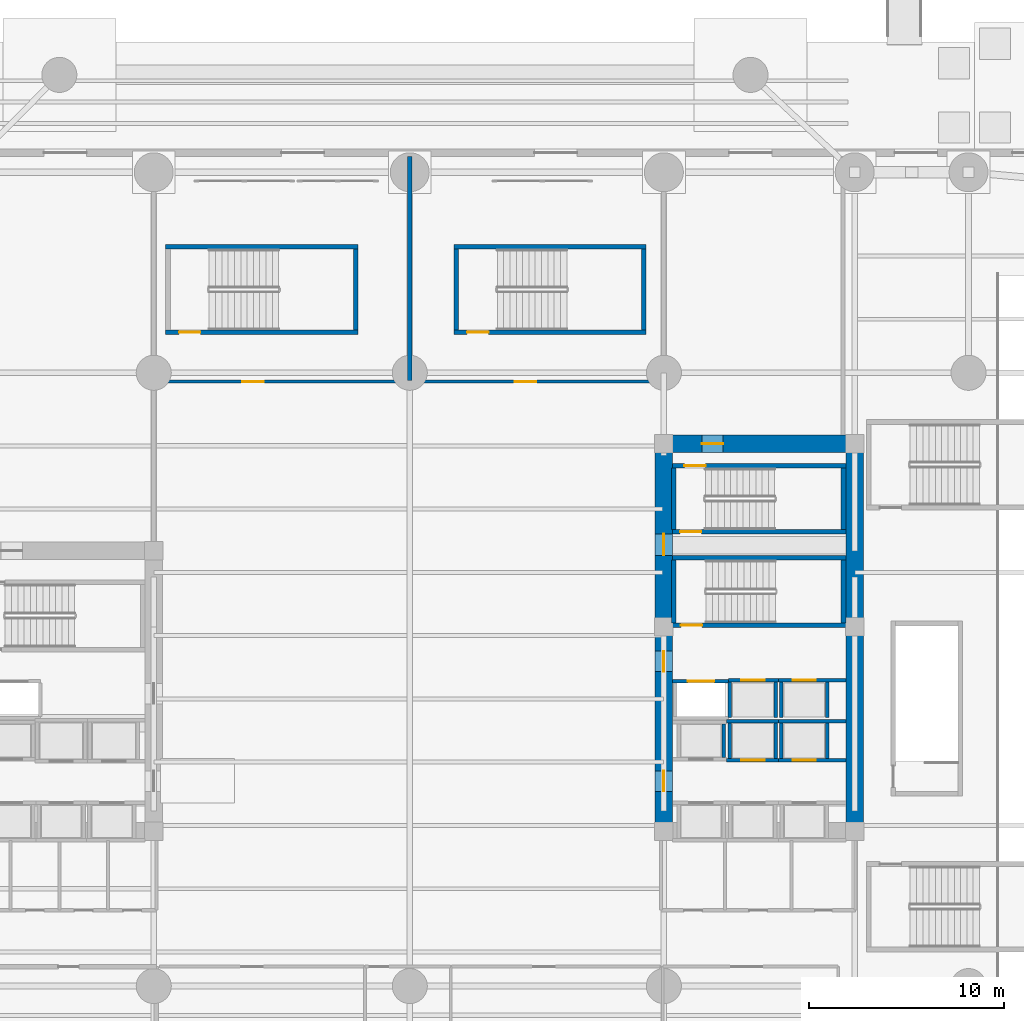
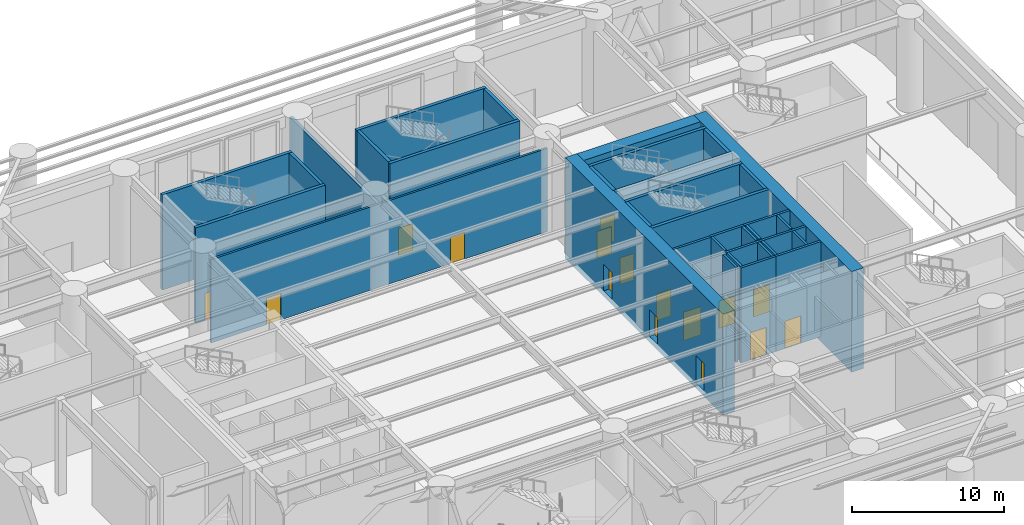
# One storey, part 12 of 25: 36 walls, 16 doors, 16 openings.
"""IFC4 building model written with IfcOpenShell, lengths in metres."""

from ifc_helpers import new_model, si_unit, direction, frame, frame_2d, origin, place, context, subcontext, project, spatial, rectangle, extrude, material, layer, layer_set, type_object, element, fill, save


model = new_model("IFC4")

# Units and contexts
model_context = context("Model", 3, precision=1e-05, world=origin(), true_north=direction((0.0, 1.0)))
body_context = subcontext(model_context, "Body", "Model", "MODEL_VIEW")
ifc_project = project(units=[si_unit("LENGTHUNIT", "METRE"), si_unit("AREAUNIT", "SQUARE_METRE"), si_unit("VOLUMEUNIT", "CUBIC_METRE"), si_unit("PLANEANGLEUNIT", "RADIAN"), si_unit("MASSUNIT", "GRAM", prefix="KILO")], contexts=[model_context])

# Site, building, storey
site_placement = place(None, origin())
site = spatial("IfcSite", under=ifc_project, at=site_placement, CompositionType="ELEMENT")
building_placement = place(site_placement, origin())
building = spatial("IfcBuilding", under=site, at=building_placement, Name="Kolvaren Arena Tower", CompositionType="ELEMENT")
storey_placement = place(building_placement, origin())
storey = spatial("IfcBuildingStorey", under=building, at=storey_placement, Name="L00", CompositionType="ELEMENT", Elevation=0.0)

# Wall, openings, doors
ifc_material_1 = material(Name="Gypsum board acoustic assembly", Category="gypsum")
ifc_layer_1 = layer(ifc_material_1, 0.159912109375)
ifc_layer_set_1 = layer_set([ifc_layer_1], Name="Gypsum board acoustic assembly")
wall_type_1 = type_object("IfcWallType", Name="CORR-160", PredefinedType="PARTITIONING", material=ifc_layer_set_1)
wall_1_placement = place(storey_placement, frame((24.699951171875, 42.550048828125, 0.0), z_axis=(0.0, 0.0, 1.0), x_axis=(1.0, 0.0, 0.0)))
wall_1 = element("IfcWall", 1, at=wall_1_placement, inside=storey, type_object=wall_type_1, Name="Interior Partition Wall (L00)", PredefinedType="PARTITIONING", context=body_context, shape_type="SweptSolid", body=[
    extrude(rectangle(XDim=25.60009765625, YDim=0.159912109375, at=frame_2d((12.800048828125, 0.0))), origin(), (0.0, 0.0, 1.0), 6.7099609375),
])
opening_1_placement = place(wall_1_placement, frame((4.199951171875, 0.0, 0.0)))
opening_1 = element("IfcOpeningElement", 2, at=opening_1_placement, cuts=wall_1, Name="Opening D03", PredefinedType="OPENING", context=body_context, shape_type="SweptSolid", body=[
    extrude(rectangle(XDim=1.10009765625, YDim=2.14990234375, at=frame_2d((0.550048828125, 1.074951171875))), frame((0.0, 0.08984375, 0.0), z_axis=(0.0, -1.0, 0.0), x_axis=(1.0, 0.0, 0.0)), (0.0, 0.0, 1.0), 0.179931640625),
])
opening_2_placement = place(wall_1_placement, frame((18.199951171875, 0.0, 0.0)))
opening_2 = element("IfcOpeningElement", 3, at=opening_2_placement, cuts=wall_1, Name="Opening D03", PredefinedType="OPENING", context=body_context, shape_type="SweptSolid", body=[
    extrude(rectangle(XDim=1.10009765625, YDim=2.14990234375, at=frame_2d((0.550048828125, 1.074951171875))), frame((0.0, 0.08984375, 0.0), z_axis=(0.0, -1.0, 0.0), x_axis=(1.0, 0.0, 0.0)), (0.0, 0.0, 1.0), 0.179931640625),
])
ifc_material_2 = material(Name="Fire-rated steel exit stair door", Category="steel")
door_type_1 = type_object("IfcDoorType", Name="DOOR-ST-110", OperationType="NOTDEFINED", PredefinedType="DOOR", material=ifc_material_2)
door_1_placement = place(opening_1_placement, origin())
door_1 = element("IfcDoor", 4, at=door_1_placement, inside=storey, type_object=door_type_1, Name="North-West Exit Lobby Door", OperationType="SINGLE_SWING_LEFT", OverallHeight=2.14990234375, OverallWidth=1.10009765625, PredefinedType="DOOR", context=body_context, shape_type="SweptSolid", body=[
    extrude(rectangle(XDim=1.10009765625, YDim=2.14990234375, at=frame_2d((0.550048828125, 1.074951171875))), frame((0.0, 0.02490234375, 0.0), z_axis=(0.0, -1.0, 0.0), x_axis=(1.0, 0.0, 0.0)), (0.0, 0.0, 1.0), 0.050048828125),
])
fill(opening_1, door_1)
door_2_placement = place(opening_2_placement, origin())
door_2 = element("IfcDoor", 5, at=door_2_placement, inside=storey, type_object=door_type_1, Name="North-East Exit Lobby Door", OperationType="SINGLE_SWING_RIGHT", OverallHeight=2.14990234375, OverallWidth=1.10009765625, PredefinedType="DOOR", context=body_context, shape_type="SweptSolid", body=[
    extrude(rectangle(XDim=1.10009765625, YDim=2.14990234375, at=frame_2d((0.550048828125, 1.074951171875))), frame((0.0, 0.02490234375, 0.0), z_axis=(0.0, -1.0, 0.0), x_axis=(1.0, 0.0, 0.0)), (0.0, 0.0, 1.0), 0.050048828125),
])
fill(opening_2, door_2)

ifc_material_3 = material(Name="Concrete 80 MPa", Category="concrete")
ifc_layer_2 = layer(ifc_material_3, 0.89990234375)
ifc_layer_set_2 = layer_set([ifc_layer_2], Name="Concrete 80 MPa")
wall_type_2 = type_object("IfcWallType", Name="CWALL-900", PredefinedType="SHEAR", material=ifc_layer_set_2)
wall_2_placement = place(storey_placement, frame((50.550048828125, 19.0, -0.449951171875), z_axis=(0.0, 0.0, 1.0), x_axis=(0.0, 1.0, 0.0)))
wall_2 = element("IfcWall", 6, at=wall_2_placement, inside=storey, type_object=wall_type_2, Name="Core Shear Wall EC-WEST (L00)", PredefinedType="SHEAR", context=body_context, shape_type="SweptSolid", body=[
    extrude(rectangle(XDim=20.800048828125, YDim=0.89990234375, at=frame_2d((10.39990234375, 0.0))), origin(), (0.0, 0.0, 1.0), 8.099853515625),
])
opening_3_placement = place(wall_2_placement, frame((2.5, 0.0, 0.449951171875)))
opening_3 = element("IfcOpeningElement", 7, at=opening_3_placement, cuts=wall_2, Name="Opening D04", PredefinedType="OPENING", context=body_context, shape_type="SweptSolid", body=[
    extrude(rectangle(XDim=1.050048828125, YDim=2.14990234375, at=frame_2d((0.52490234375, 1.074951171875))), frame((0.0, 0.4599609375, 0.0), z_axis=(0.0, -1.0, 0.0), x_axis=(1.0, 0.0, 0.0)), (0.0, 0.0, 1.0), 0.919921875),
])
opening_4_placement = place(wall_2_placement, frame((8.64990234375, 0.0, 0.449951171875)))
opening_4 = element("IfcOpeningElement", 8, at=opening_4_placement, cuts=wall_2, Name="Opening D04", PredefinedType="OPENING", context=body_context, shape_type="SweptSolid", body=[
    extrude(rectangle(XDim=1.050048828125, YDim=2.14990234375, at=frame_2d((0.52490234375, 1.074951171875))), frame((0.0, 0.4599609375, 0.0), z_axis=(0.0, -1.0, 0.0), x_axis=(1.0, 0.0, 0.0)), (0.0, 0.0, 1.0), 0.919921875),
])
opening_5_placement = place(wall_2_placement, frame((14.6201171875, 0.0, 0.449951171875)))
opening_5 = element("IfcOpeningElement", 9, at=opening_5_placement, cuts=wall_2, Name="Opening D03", PredefinedType="OPENING", context=body_context, shape_type="SweptSolid", body=[
    extrude(rectangle(XDim=1.10009765625, YDim=2.14990234375, at=frame_2d((0.550048828125, 1.074951171875))), frame((0.0, 0.4599609375, 0.0), z_axis=(0.0, -1.0, 0.0), x_axis=(1.0, 0.0, 0.0)), (0.0, 0.0, 1.0), 0.919921875),
])
ifc_material_4 = material(Name="Fire-rated steel lobby door", Category="steel")
door_type_2 = type_object("IfcDoorType", Name="DOOR-FF-105", OperationType="NOTDEFINED", PredefinedType="DOOR", material=ifc_material_4)
door_3_placement = place(opening_3_placement, origin())
door_3 = element("IfcDoor", 10, at=door_3_placement, inside=storey, type_object=door_type_2, Name="East Lift Lobby Fire Door (L00)", OperationType="SINGLE_SWING_RIGHT", OverallHeight=2.14990234375, OverallWidth=1.050048828125, PredefinedType="DOOR", context=body_context, shape_type="SweptSolid", body=[
    extrude(rectangle(XDim=1.050048828125, YDim=2.14990234375, at=frame_2d((0.52490234375, 1.074951171875))), frame((0.0, 0.02490234375, 0.0), z_axis=(0.0, -1.0, 0.0), x_axis=(1.0, 0.0, 0.0)), (0.0, 0.0, 1.0), 0.050048828125),
])
fill(opening_3, door_3)
door_4_placement = place(opening_4_placement, origin())
door_4 = element("IfcDoor", 11, at=door_4_placement, inside=storey, type_object=door_type_2, Name="East Firefighter Vestibule Door (L00)", OperationType="SINGLE_SWING_LEFT", OverallHeight=2.14990234375, OverallWidth=1.050048828125, PredefinedType="DOOR", context=body_context, shape_type="SweptSolid", body=[
    extrude(rectangle(XDim=1.050048828125, YDim=2.14990234375, at=frame_2d((0.52490234375, 1.074951171875))), frame((0.0, 0.02490234375, 0.0), z_axis=(0.0, -1.0, 0.0), x_axis=(1.0, 0.0, 0.0)), (0.0, 0.0, 1.0), 0.050048828125),
])
fill(opening_4, door_4)
door_5_placement = place(opening_5_placement, origin())
door_5 = element("IfcDoor", 12, at=door_5_placement, inside=storey, type_object=door_type_1, Name="Stair ST-E2 Vestibule Fire Door (L00)", OperationType="SINGLE_SWING_LEFT", OverallHeight=2.14990234375, OverallWidth=1.10009765625, PredefinedType="DOOR", context=body_context, shape_type="SweptSolid", body=[
    extrude(rectangle(XDim=1.10009765625, YDim=2.14990234375, at=frame_2d((0.550048828125, 1.074951171875))), frame((0.0, 0.02490234375, 0.0), z_axis=(0.0, -1.0, 0.0), x_axis=(1.0, 0.0, 0.0)), (0.0, 0.0, 1.0), 0.050048828125),
])
fill(opening_5, door_5)

# Wall
wall_3_placement = place(storey_placement, frame((60.35009765625, 19.0, -0.449951171875), z_axis=(0.0, 0.0, 1.0), x_axis=(0.0, 1.0, 0.0)))
element("IfcWall", 13, at=wall_3_placement, inside=storey, type_object=wall_type_2, Name="Core Shear Wall EC-EAST (L00)", PredefinedType="SHEAR", context=body_context, shape_type="SweptSolid", body=[
    extrude(rectangle(XDim=20.800048828125, YDim=0.89990234375, at=frame_2d((10.39990234375, 0.0))), origin(), (0.0, 0.0, 1.0), 8.099853515625),
])

# Wall, opening, door
wall_4_placement = place(storey_placement, frame((51.0, 39.35009765625, -0.449951171875), z_axis=(0.0, 0.0, 1.0), x_axis=(1.0, 0.0, 0.0)))
wall_4 = element("IfcWall", 14, at=wall_4_placement, inside=storey, type_object=wall_type_2, Name="Core Shear Wall EC-NORTH (L00)", PredefinedType="SHEAR", context=body_context, shape_type="SweptSolid", body=[
    extrude(rectangle(XDim=8.89990234375, YDim=0.89990234375, at=frame_2d((4.449951171875, 0.0))), origin(), (0.0, 0.0, 1.0), 8.099853515625),
])
opening_6_placement = place(wall_4_placement, frame((1.5, 0.0, 0.449951171875)))
opening_6 = element("IfcOpeningElement", 15, at=opening_6_placement, cuts=wall_4, Name="Opening D03", PredefinedType="OPENING", context=body_context, shape_type="SweptSolid", body=[
    extrude(rectangle(XDim=1.10009765625, YDim=2.14990234375, at=frame_2d((0.550048828125, 1.074951171875))), frame((0.0, 0.4599609375, 0.0), z_axis=(0.0, -1.0, 0.0), x_axis=(1.0, 0.0, 0.0)), (0.0, 0.0, 1.0), 0.919921875),
])
door_6_placement = place(opening_6_placement, origin())
door_6 = element("IfcDoor", 16, at=door_6_placement, inside=storey, type_object=door_type_1, Name="Stair ST-E2 Protected Exit Passage Door (L00)", OperationType="SINGLE_SWING_LEFT", OverallHeight=2.14990234375, OverallWidth=1.10009765625, PredefinedType="DOOR", context=body_context, shape_type="SweptSolid", body=[
    extrude(rectangle(XDim=1.10009765625, YDim=2.14990234375, at=frame_2d((0.550048828125, 1.074951171875))), frame((0.0, 0.02490234375, 0.0), z_axis=(0.0, -1.0, 0.0), x_axis=(1.0, 0.0, 0.0)), (0.0, 0.0, 1.0), 0.050048828125),
])
fill(opening_6, door_6)

ifc_material_5 = material(Name="Concrete 45 MPa", Category="concrete")
ifc_layer_3 = layer(ifc_material_5, 0.25)
ifc_layer_set_3 = layer_set([ifc_layer_3], Name="Concrete 45 MPa")
wall_type_3 = type_object("IfcWallType", Name="SHAFT-250", PredefinedType="SOLIDWALL", material=ifc_layer_set_3)
wall_5_placement = place(storey_placement, frame((34.840087890625, 45.080078125, 0.0), z_axis=(0.0, 0.0, 1.0), x_axis=(-1.0, 0.0, 0.0)))
wall_5 = element("IfcWall", 17, at=wall_5_placement, inside=storey, type_object=wall_type_3, Name="Stair ST-A6 Rated Enclosure Wall (L00)", PredefinedType="SOLIDWALL", context=body_context, shape_type="SweptSolid", body=[
    extrude(rectangle(XDim=9.880126953125, YDim=0.239990234375, at=frame_2d((4.93994140625, 0.0))), origin(), (0.0, 0.0, 1.0), 7.64990234375),
])
opening_7_placement = place(wall_5_placement, frame((8.090087890625, 0.0, 0.0)))
opening_7 = element("IfcOpeningElement", 18, at=opening_7_placement, cuts=wall_5, Name="Opening D03", PredefinedType="OPENING", context=body_context, shape_type="SweptSolid", body=[
    extrude(rectangle(XDim=1.10009765625, YDim=2.14990234375, at=frame_2d((0.550048828125, 1.074951171875))), frame((0.0, 0.1298828125, 0.0), z_axis=(0.0, -1.0, 0.0), x_axis=(1.0, 0.0, 0.0)), (0.0, 0.0, 1.0), 0.260009765625),
])
door_7_placement = place(opening_7_placement, origin())
door_7 = element("IfcDoor", 19, at=door_7_placement, inside=storey, type_object=door_type_1, Name="Exit Stair ST-A6 Fire Door (L00)", OperationType="SINGLE_SWING_LEFT", OverallHeight=2.14990234375, OverallWidth=1.10009765625, PredefinedType="DOOR", context=body_context, shape_type="SweptSolid", body=[
    extrude(rectangle(XDim=1.10009765625, YDim=2.14990234375, at=frame_2d((0.550048828125, 1.074951171875))), frame((0.0, 0.02490234375, 0.0), z_axis=(0.0, -1.0, 0.0), x_axis=(1.0, 0.0, 0.0)), (0.0, 0.0, 1.0), 0.050048828125),
])
fill(opening_7, door_7)

# Walls
wall_6_placement = place(storey_placement, frame((24.9599609375, 49.469970703125, 0.0), z_axis=(0.0, 0.0, 1.0), x_axis=(1.0, 0.0, 0.0)))
element("IfcWall", 20, at=wall_6_placement, inside=storey, type_object=wall_type_3, Name="Stair ST-A6 Rear Shaft Wall (L00)", PredefinedType="SOLIDWALL", context=body_context, shape_type="SweptSolid", body=[
    extrude(rectangle(XDim=9.880126953125, YDim=0.239990234375, at=frame_2d((4.93994140625, 0.0))), origin(), (0.0, 0.0, 1.0), 7.64990234375),
])
wall_7_placement = place(storey_placement, frame((34.719970703125, 45.199951171875, 0.0), z_axis=(0.0, 0.0, 1.0), x_axis=(0.0, 1.0, 0.0)))
element("IfcWall", 21, at=wall_7_placement, inside=storey, type_object=wall_type_3, Name="Stair ST-A6 East Shaft Wall (L00)", PredefinedType="SOLIDWALL", context=body_context, shape_type="SweptSolid", body=[
    extrude(rectangle(XDim=4.150146484375, YDim=0.239990234375, at=frame_2d((2.0751953125, 0.0))), origin(), (0.0, 0.0, 1.0), 7.64990234375),
])

# Wall, opening, door
wall_8_placement = place(storey_placement, frame((49.639892578125, 45.080078125, 0.0), z_axis=(0.0, 0.0, 1.0), x_axis=(-1.0, 0.0, 0.0)))
wall_8 = element("IfcWall", 22, at=wall_8_placement, inside=storey, type_object=wall_type_3, Name="Stair ST-A7 Rated Enclosure Wall (L00)", PredefinedType="SOLIDWALL", context=body_context, shape_type="SweptSolid", body=[
    extrude(rectangle(XDim=9.8798828125, YDim=0.239990234375, at=frame_2d((4.93994140625, 0.0))), origin(), (0.0, 0.0, 1.0), 7.64990234375),
])
opening_8_placement = place(wall_8_placement, frame((8.090087890625, 0.0, 0.0)))
opening_8 = element("IfcOpeningElement", 23, at=opening_8_placement, cuts=wall_8, Name="Opening D03", PredefinedType="OPENING", context=body_context, shape_type="SweptSolid", body=[
    extrude(rectangle(XDim=1.10009765625, YDim=2.14990234375, at=frame_2d((0.550048828125, 1.074951171875))), frame((0.0, 0.1298828125, 0.0), z_axis=(0.0, -1.0, 0.0), x_axis=(1.0, 0.0, 0.0)), (0.0, 0.0, 1.0), 0.260009765625),
])
door_8_placement = place(opening_8_placement, origin())
door_8 = element("IfcDoor", 24, at=door_8_placement, inside=storey, type_object=door_type_1, Name="Exit Stair ST-A7 Fire Door (L00)", OperationType="SINGLE_SWING_LEFT", OverallHeight=2.14990234375, OverallWidth=1.10009765625, PredefinedType="DOOR", context=body_context, shape_type="SweptSolid", body=[
    extrude(rectangle(XDim=1.10009765625, YDim=2.14990234375, at=frame_2d((0.550048828125, 1.074951171875))), frame((0.0, 0.02490234375, 0.0), z_axis=(0.0, -1.0, 0.0), x_axis=(1.0, 0.0, 0.0)), (0.0, 0.0, 1.0), 0.050048828125),
])
fill(opening_8, door_8)

# Walls
wall_9_placement = place(storey_placement, frame((39.760009765625, 49.469970703125, 0.0), z_axis=(0.0, 0.0, 1.0), x_axis=(1.0, 0.0, 0.0)))
element("IfcWall", 25, at=wall_9_placement, inside=storey, type_object=wall_type_3, Name="Stair ST-A7 Rear Shaft Wall (L00)", PredefinedType="SOLIDWALL", context=body_context, shape_type="SweptSolid", body=[
    extrude(rectangle(XDim=9.8798828125, YDim=0.239990234375, at=frame_2d((4.93994140625, 0.0))), origin(), (0.0, 0.0, 1.0), 7.64990234375),
])
for number, where, z_axis, x_axis, name in (
    (26, (39.8798828125, 45.199951171875, 0.0), (0.0, 0.0, 1.0), (0.0, 1.0, 0.0), "Stair ST-A7 West Shaft Wall (L00)"),
    (27, (49.52001953125, 45.199951171875, 0.0), (0.0, 0.0, 1.0), (0.0, 1.0, 0.0), "Stair ST-A7 East Shaft Wall (L00)"),
):
    element("IfcWall", number, at=place(storey_placement, frame(where, z_axis=z_axis, x_axis=x_axis)), inside=storey, type_object=wall_type_3, Name=name, PredefinedType="SOLIDWALL", context=body_context, shape_type="SweptSolid", body=[
        extrude(rectangle(XDim=4.150146484375, YDim=0.239990234375, at=frame_2d((2.0751953125, 0.0))), origin(), (0.0, 0.0, 1.0), 7.64990234375),
    ])

# Wall, opening, door
wall_10_placement = place(storey_placement, frame((59.89990234375, 30.030029296875, 0.0), z_axis=(0.0, 0.0, 1.0), x_axis=(-1.0, 0.0, 0.0)))
wall_10 = element("IfcWall", 28, at=wall_10_placement, inside=storey, type_object=wall_type_3, Name="Core Shaft Wall (L00)", PredefinedType="SOLIDWALL", context=body_context, shape_type="SweptSolid", body=[
    extrude(rectangle(XDim=8.89990234375, YDim=0.239990234375, at=frame_2d((4.449951171875, 0.0))), origin(), (0.0, 0.0, 1.0), 7.64990234375),
])
opening_9_placement = place(wall_10_placement, frame((7.3798828125, 0.0, 0.0)))
opening_9 = element("IfcOpeningElement", 29, at=opening_9_placement, cuts=wall_10, Name="Opening D03", PredefinedType="OPENING", context=body_context, shape_type="SweptSolid", body=[
    extrude(rectangle(XDim=1.10009765625, YDim=2.14990234375, at=frame_2d((0.550048828125, 1.074951171875))), frame((0.0, 0.1298828125, 0.0), z_axis=(0.0, -1.0, 0.0), x_axis=(1.0, 0.0, 0.0)), (0.0, 0.0, 1.0), 0.260009765625),
])
door_9_placement = place(opening_9_placement, origin())
door_9 = element("IfcDoor", 30, at=door_9_placement, inside=storey, type_object=door_type_1, Name="Stair ST-E1 Fire Door (L00)", OperationType="SINGLE_SWING_LEFT", OverallHeight=2.14990234375, OverallWidth=1.10009765625, PredefinedType="DOOR", context=body_context, shape_type="SweptSolid", body=[
    extrude(rectangle(XDim=1.10009765625, YDim=2.14990234375, at=frame_2d((0.550048828125, 1.074951171875))), frame((0.0, 0.02490234375, 0.0), z_axis=(0.0, -1.0, 0.0), x_axis=(1.0, 0.0, 0.0)), (0.0, 0.0, 1.0), 0.050048828125),
])
fill(opening_9, door_9)

# Walls
wall_11_placement = place(storey_placement, frame((51.0, 33.5, 0.0), z_axis=(0.0, 0.0, 1.0), x_axis=(1.0, 0.0, 0.0)))
element("IfcWall", 31, at=wall_11_placement, inside=storey, type_object=wall_type_3, Name="Core Shaft Wall (L00)", PredefinedType="SOLIDWALL", context=body_context, shape_type="SweptSolid", body=[
    extrude(rectangle(XDim=8.89990234375, YDim=0.239990234375, at=frame_2d((4.449951171875, 0.0))), origin(), (0.0, 0.0, 1.0), 7.64990234375),
])
for number, where, z_axis, x_axis, name in (
    (32, (51.06005859375, 30.14990234375, 0.0), (0.0, 0.0, 1.0), (0.0, 1.0, 0.0), "Core Shaft Wall (L00)"),
    (33, (59.780029296875, 30.14990234375, 0.0), (0.0, 0.0, 1.0), (0.0, 1.0, 0.0), "Core Shaft Wall (L00)"),
):
    element("IfcWall", number, at=place(storey_placement, frame(where, z_axis=z_axis, x_axis=x_axis)), inside=storey, type_object=wall_type_3, Name=name, PredefinedType="SOLIDWALL", context=body_context, shape_type="SweptSolid", body=[
        extrude(rectangle(XDim=3.22998046875, YDim=0.239990234375, at=frame_2d((1.614990234375, 0.0))), origin(), (0.0, 0.0, 1.0), 7.64990234375),
    ])

# Wall, opening, door
wall_12_placement = place(storey_placement, frame((59.89990234375, 34.830078125, 0.0), z_axis=(0.0, 0.0, 1.0), x_axis=(-1.0, 0.0, 0.0)))
wall_12 = element("IfcWall", 34, at=wall_12_placement, inside=storey, type_object=wall_type_3, Name="Core Shaft Wall (L00)", PredefinedType="SOLIDWALL", context=body_context, shape_type="SweptSolid", body=[
    extrude(rectangle(XDim=8.89990234375, YDim=0.239990234375, at=frame_2d((4.449951171875, 0.0))), origin(), (0.0, 0.0, 1.0), 7.64990234375),
])
opening_10_placement = place(wall_12_placement, frame((7.419921875, 0.0, 0.0)))
opening_10 = element("IfcOpeningElement", 35, at=opening_10_placement, cuts=wall_12, Name="Opening D03", PredefinedType="OPENING", context=body_context, shape_type="SweptSolid", body=[
    extrude(rectangle(XDim=1.10009765625, YDim=2.14990234375, at=frame_2d((0.550048828125, 1.074951171875))), frame((0.0, 0.1298828125, 0.0), z_axis=(0.0, -1.0, 0.0), x_axis=(1.0, 0.0, 0.0)), (0.0, 0.0, 1.0), 0.260009765625),
])
door_10_placement = place(opening_10_placement, origin())
door_10 = element("IfcDoor", 36, at=door_10_placement, inside=storey, type_object=door_type_1, Name="Stair ST-E2 Fire Door (L00)", OperationType="SINGLE_SWING_LEFT", OverallHeight=2.14990234375, OverallWidth=1.10009765625, PredefinedType="DOOR", context=body_context, shape_type="SweptSolid", body=[
    extrude(rectangle(XDim=1.10009765625, YDim=2.14990234375, at=frame_2d((0.550048828125, 1.074951171875))), frame((0.0, 0.02490234375, 0.0), z_axis=(0.0, -1.0, 0.0), x_axis=(1.0, 0.0, 0.0)), (0.0, 0.0, 1.0), 0.050048828125),
])
fill(opening_10, door_10)

wall_13_placement = place(storey_placement, frame((51.0, 38.219970703125, 0.0), z_axis=(0.0, 0.0, 1.0), x_axis=(1.0, 0.0, 0.0)))
wall_13 = element("IfcWall", 37, at=wall_13_placement, inside=storey, type_object=wall_type_3, Name="Core Shaft Wall (L00)", PredefinedType="SOLIDWALL", context=body_context, shape_type="SweptSolid", body=[
    extrude(rectangle(XDim=8.89990234375, YDim=0.239990234375, at=frame_2d((4.449951171875, 0.0))), origin(), (0.0, 0.0, 1.0), 7.64990234375),
])
opening_11_placement = place(wall_13_placement, frame((0.60009765625, 0.0, 0.0)))
opening_11 = element("IfcOpeningElement", 38, at=opening_11_placement, cuts=wall_13, Name="Opening D03", PredefinedType="OPENING", context=body_context, shape_type="SweptSolid", body=[
    extrude(rectangle(XDim=1.10009765625, YDim=2.14990234375, at=frame_2d((0.550048828125, 1.074951171875))), frame((0.0, 0.1298828125, 0.0), z_axis=(0.0, -1.0, 0.0), x_axis=(1.0, 0.0, 0.0)), (0.0, 0.0, 1.0), 0.260009765625),
])
door_11_placement = place(opening_11_placement, origin())
door_11 = element("IfcDoor", 39, at=door_11_placement, inside=storey, type_object=door_type_1, Name="Stair ST-E2 Grade Discharge Door", OperationType="SINGLE_SWING_LEFT", OverallHeight=2.14990234375, OverallWidth=1.10009765625, PredefinedType="DOOR", context=body_context, shape_type="SweptSolid", body=[
    extrude(rectangle(XDim=1.10009765625, YDim=2.14990234375, at=frame_2d((0.550048828125, 1.074951171875))), frame((0.0, 0.02490234375, 0.0), z_axis=(0.0, -1.0, 0.0), x_axis=(1.0, 0.0, 0.0)), (0.0, 0.0, 1.0), 0.050048828125),
])
fill(opening_11, door_11)

# Walls
for number, where, z_axis, x_axis, name in (
    (40, (51.06005859375, 34.949951171875, 0.0), (0.0, 0.0, 1.0), (0.0, 1.0, 0.0), "Core Shaft Wall (L00)"),
    (41, (59.780029296875, 34.949951171875, 0.0), (0.0, 0.0, 1.0), (0.0, 1.0, 0.0), "Core Shaft Wall (L00)"),
):
    element("IfcWall", number, at=place(storey_placement, frame(where, z_axis=z_axis, x_axis=x_axis)), inside=storey, type_object=wall_type_3, Name=name, PredefinedType="SOLIDWALL", context=body_context, shape_type="SweptSolid", body=[
        extrude(rectangle(XDim=3.150146484375, YDim=0.239990234375, at=frame_2d((1.5751953125, 0.0))), origin(), (0.0, 0.0, 1.0), 7.64990234375),
    ])
wall_14_placement = place(storey_placement, frame((53.614990234375, 23.235107421875, 0.0), z_axis=(0.0, 0.0, 1.0), x_axis=(0.0, 1.0, 0.0)))
element("IfcWall", 42, at=wall_14_placement, inside=storey, type_object=wall_type_3, Name="Core Shaft Wall (L00)", PredefinedType="SOLIDWALL", context=body_context, shape_type="SweptSolid", body=[
    extrude(rectangle(XDim=1.72998046875, YDim=0.179931640625, at=frame_2d((0.864990234375, 0.0))), origin(), (0.0, 0.0, 1.0), 7.64990234375),
])
wall_15_placement = place(storey_placement, frame((53.777587890625, 25.10498046875, 0.0), z_axis=(0.0, 0.0, 1.0), x_axis=(1.0, 0.0, 0.0)))
element("IfcWall", 43, at=wall_15_placement, inside=storey, type_object=wall_type_3, Name="Core Shaft Wall (L00)", PredefinedType="SOLIDWALL", context=body_context, shape_type="SweptSolid", body=[
    extrude(rectangle(XDim=2.662353515625, YDim=0.179931640625, at=frame_2d((1.3310546875, 0.0))), origin(), (0.0, 0.0, 1.0), 7.64990234375),
])

# Wall, opening, door
wall_16_placement = place(storey_placement, frame((53.777587890625, 23.094970703125, 0.0), z_axis=(0.0, 0.0, 1.0), x_axis=(1.0, 0.0, 0.0)))
wall_16 = element("IfcWall", 44, at=wall_16_placement, inside=storey, type_object=wall_type_3, Name="Core Shaft Wall (L00)", PredefinedType="SOLIDWALL", context=body_context, shape_type="SweptSolid", body=[
    extrude(rectangle(XDim=2.662353515625, YDim=0.179931640625, at=frame_2d((1.3310546875, 0.0))), origin(), (0.0, 0.0, 1.0), 7.64990234375),
])
opening_12_placement = place(wall_16_placement, frame((0.742431640625, 0.0, 0.0)))
opening_12 = element("IfcOpeningElement", 45, at=opening_12_placement, cuts=wall_16, Name="Opening LD1", PredefinedType="OPENING", context=body_context, shape_type="SweptSolid", body=[
    extrude(rectangle(XDim=1.199951171875, YDim=2.199951171875, at=frame_2d((0.60009765625, 1.10009765625))), frame((0.0, 0.099853515625, 0.0), z_axis=(0.0, -1.0, 0.0), x_axis=(1.0, 0.0, 0.0)), (0.0, 0.0, 1.0), 0.199951171875),
])
ifc_material_6 = material(Name="Stainless steel passenger lift landing door", Category="steel")
door_type_3 = type_object("IfcDoorType", Name="DOOR-LD-120", OperationType="DOUBLE_DOOR_SLIDING", PredefinedType="DOOR", material=ifc_material_6)
door_12_placement = place(opening_12_placement, origin())
door_12 = element("IfcDoor", 46, at=door_12_placement, inside=storey, type_object=door_type_3, Name="Lift EL-HR1 Landing Door (L00)", OperationType="DOUBLE_DOOR_SLIDING", OverallHeight=2.199951171875, OverallWidth=1.199951171875, PredefinedType="DOOR", context=body_context, shape_type="SweptSolid", body=[
    extrude(rectangle(XDim=1.199951171875, YDim=2.199951171875, at=frame_2d((0.60009765625, 1.10009765625))), frame((0.0, 0.02490234375, 0.0), z_axis=(0.0, -1.0, 0.0), x_axis=(1.0, 0.0, 0.0)), (0.0, 0.0, 1.0), 0.050048828125),
])
fill(opening_12, door_12)

# Walls
for number, where, z_axis, x_axis, name in (
    (47, (53.93994140625, 23.18505859375, 0.0), (0.0, 0.0, 1.0), (0.0, 1.0, 0.0), "Core Shaft Wall (L00)"),
    (48, (56.300048828125, 23.18505859375, 0.0), (0.0, 0.0, 1.0), (0.0, 1.0, 0.0), "Core Shaft Wall (L00)"),
):
    element("IfcWall", number, at=place(storey_placement, frame(where, z_axis=z_axis, x_axis=x_axis)), inside=storey, type_object=wall_type_3, Name=name, PredefinedType="SOLIDWALL", context=body_context, shape_type="SweptSolid", body=[
        extrude(rectangle(XDim=1.829833984375, YDim=0.179931640625, at=frame_2d((0.9150390625, 0.0))), origin(), (0.0, 0.0, 1.0), 7.64990234375),
    ])
wall_17_placement = place(storey_placement, frame((56.43994140625, 25.10498046875, 0.0), z_axis=(0.0, 0.0, 1.0), x_axis=(1.0, 0.0, 0.0)))
element("IfcWall", 49, at=wall_17_placement, inside=storey, type_object=wall_type_3, Name="Core Shaft Wall (L00)", PredefinedType="SOLIDWALL", context=body_context, shape_type="SweptSolid", body=[
    extrude(rectangle(XDim=3.4599609375, YDim=0.179931640625, at=frame_2d((1.72998046875, 0.0))), origin(), (0.0, 0.0, 1.0), 7.64990234375),
])

# Wall, opening, door
wall_18_placement = place(storey_placement, frame((56.43994140625, 23.094970703125, 0.0), z_axis=(0.0, 0.0, 1.0), x_axis=(1.0, 0.0, 0.0)))
wall_18 = element("IfcWall", 50, at=wall_18_placement, inside=storey, type_object=wall_type_3, Name="Core Shaft Wall (L00)", PredefinedType="SOLIDWALL", context=body_context, shape_type="SweptSolid", body=[
    extrude(rectangle(XDim=3.4599609375, YDim=0.179931640625, at=frame_2d((1.72998046875, 0.0))), origin(), (0.0, 0.0, 1.0), 7.64990234375),
])
opening_13_placement = place(wall_18_placement, frame((0.719970703125, 0.0, 0.0)))
opening_13 = element("IfcOpeningElement", 51, at=opening_13_placement, cuts=wall_18, Name="Opening LD1", PredefinedType="OPENING", context=body_context, shape_type="SweptSolid", body=[
    extrude(rectangle(XDim=1.199951171875, YDim=2.199951171875, at=frame_2d((0.60009765625, 1.10009765625))), frame((0.0, 0.099853515625, 0.0), z_axis=(0.0, -1.0, 0.0), x_axis=(1.0, 0.0, 0.0)), (0.0, 0.0, 1.0), 0.199951171875),
])
door_13_placement = place(opening_13_placement, origin())
door_13 = element("IfcDoor", 52, at=door_13_placement, inside=storey, type_object=door_type_3, Name="Lift EL-HR2 Landing Door (L00)", OperationType="DOUBLE_DOOR_SLIDING", OverallHeight=2.199951171875, OverallWidth=1.199951171875, PredefinedType="DOOR", context=body_context, shape_type="SweptSolid", body=[
    extrude(rectangle(XDim=1.199951171875, YDim=2.199951171875, at=frame_2d((0.60009765625, 1.10009765625))), frame((0.0, 0.02490234375, 0.0), z_axis=(0.0, -1.0, 0.0), x_axis=(1.0, 0.0, 0.0)), (0.0, 0.0, 1.0), 0.050048828125),
])
fill(opening_13, door_13)

# Walls
for number, where, z_axis, x_axis, name in (
    (53, (56.580078125, 23.18505859375, 0.0), (0.0, 0.0, 1.0), (0.0, 1.0, 0.0), "Core Shaft Wall (L00)"),
    (54, (58.93994140625, 23.18505859375, 0.0), (0.0, 0.0, 1.0), (0.0, 1.0, 0.0), "Core Shaft Wall (L00)"),
):
    element("IfcWall", number, at=place(storey_placement, frame(where, z_axis=z_axis, x_axis=x_axis)), inside=storey, type_object=wall_type_3, Name=name, PredefinedType="SOLIDWALL", context=body_context, shape_type="SweptSolid", body=[
        extrude(rectangle(XDim=1.829833984375, YDim=0.179931640625, at=frame_2d((0.9150390625, 0.0))), origin(), (0.0, 0.0, 1.0), 7.64990234375),
    ])

# Wall, opening, door
wall_19_placement = place(storey_placement, frame((53.864990234375, 27.205078125, 0.0), z_axis=(0.0, 0.0, 1.0), x_axis=(1.0, 0.0, 0.0)))
wall_19 = element("IfcWall", 55, at=wall_19_placement, inside=storey, type_object=wall_type_3, Name="Core Shaft Wall (L00)", PredefinedType="SOLIDWALL", context=body_context, shape_type="SweptSolid", body=[
    extrude(rectangle(XDim=2.574951171875, YDim=0.179931640625, at=frame_2d((1.28759765625, 0.0))), origin(), (0.0, 0.0, 1.0), 7.64990234375),
])
opening_14_placement = place(wall_19_placement, frame((0.655029296875, 0.0, 0.0)))
opening_14 = element("IfcOpeningElement", 56, at=opening_14_placement, cuts=wall_19, Name="Opening LD1", PredefinedType="OPENING", context=body_context, shape_type="SweptSolid", body=[
    extrude(rectangle(XDim=1.199951171875, YDim=2.199951171875, at=frame_2d((0.60009765625, 1.10009765625))), frame((0.0, 0.099853515625, 0.0), z_axis=(0.0, -1.0, 0.0), x_axis=(1.0, 0.0, 0.0)), (0.0, 0.0, 1.0), 0.199951171875),
])
door_14_placement = place(opening_14_placement, origin())
door_14 = element("IfcDoor", 57, at=door_14_placement, inside=storey, type_object=door_type_3, Name="Lift EL-HR3 Landing Door (L00)", OperationType="DOUBLE_DOOR_SLIDING", OverallHeight=2.199951171875, OverallWidth=1.199951171875, PredefinedType="DOOR", context=body_context, shape_type="SweptSolid", body=[
    extrude(rectangle(XDim=1.199951171875, YDim=2.199951171875, at=frame_2d((0.60009765625, 1.10009765625))), frame((0.0, 0.02490234375, 0.0), z_axis=(0.0, -1.0, 0.0), x_axis=(1.0, 0.0, 0.0)), (0.0, 0.0, 1.0), 0.050048828125),
])
fill(opening_14, door_14)

# Walls
for number, where, z_axis, x_axis, name in (
    (58, (53.93994140625, 25.284912109375, 0.0), (0.0, 0.0, 1.0), (0.0, 1.0, 0.0), "Core Shaft Wall (L00)"),
    (59, (56.300048828125, 25.284912109375, 0.0), (0.0, 0.0, 1.0), (0.0, 1.0, 0.0), "Core Shaft Wall (L00)"),
):
    element("IfcWall", number, at=place(storey_placement, frame(where, z_axis=z_axis, x_axis=x_axis)), inside=storey, type_object=wall_type_3, Name=name, PredefinedType="SOLIDWALL", context=body_context, shape_type="SweptSolid", body=[
        extrude(rectangle(XDim=1.830078125, YDim=0.179931640625, at=frame_2d((0.9150390625, 0.0))), origin(), (0.0, 0.0, 1.0), 7.64990234375),
    ])

# Wall, opening, door
wall_20_placement = place(storey_placement, frame((56.43994140625, 27.205078125, 0.0), z_axis=(0.0, 0.0, 1.0), x_axis=(1.0, 0.0, 0.0)))
wall_20 = element("IfcWall", 60, at=wall_20_placement, inside=storey, type_object=wall_type_3, Name="Core Shaft Wall (L00)", PredefinedType="SOLIDWALL", context=body_context, shape_type="SweptSolid", body=[
    extrude(rectangle(XDim=3.4599609375, YDim=0.179931640625, at=frame_2d((1.72998046875, 0.0))), origin(), (0.0, 0.0, 1.0), 7.64990234375),
])
opening_15_placement = place(wall_20_placement, frame((0.719970703125, 0.0, 0.0)))
opening_15 = element("IfcOpeningElement", 61, at=opening_15_placement, cuts=wall_20, Name="Opening LD1", PredefinedType="OPENING", context=body_context, shape_type="SweptSolid", body=[
    extrude(rectangle(XDim=1.199951171875, YDim=2.199951171875, at=frame_2d((0.60009765625, 1.10009765625))), frame((0.0, 0.099853515625, 0.0), z_axis=(0.0, -1.0, 0.0), x_axis=(1.0, 0.0, 0.0)), (0.0, 0.0, 1.0), 0.199951171875),
])
door_15_placement = place(opening_15_placement, origin())
door_15 = element("IfcDoor", 62, at=door_15_placement, inside=storey, type_object=door_type_3, Name="Lift EL-HR4 Landing Door (L00)", OperationType="DOUBLE_DOOR_SLIDING", OverallHeight=2.199951171875, OverallWidth=1.199951171875, PredefinedType="DOOR", context=body_context, shape_type="SweptSolid", body=[
    extrude(rectangle(XDim=1.199951171875, YDim=2.199951171875, at=frame_2d((0.60009765625, 1.10009765625))), frame((0.0, 0.02490234375, 0.0), z_axis=(0.0, -1.0, 0.0), x_axis=(1.0, 0.0, 0.0)), (0.0, 0.0, 1.0), 0.050048828125),
])
fill(opening_15, door_15)

# Walls
for number, where, z_axis, x_axis, name in (
    (63, (56.580078125, 25.284912109375, 0.0), (0.0, 0.0, 1.0), (0.0, 1.0, 0.0), "Core Shaft Wall (L00)"),
    (64, (58.93994140625, 25.284912109375, 0.0), (0.0, 0.0, 1.0), (0.0, 1.0, 0.0), "Core Shaft Wall (L00)"),
):
    element("IfcWall", number, at=place(storey_placement, frame(where, z_axis=z_axis, x_axis=x_axis)), inside=storey, type_object=wall_type_3, Name=name, PredefinedType="SOLIDWALL", context=body_context, shape_type="SweptSolid", body=[
        extrude(rectangle(XDim=1.830078125, YDim=0.179931640625, at=frame_2d((0.9150390625, 0.0))), origin(), (0.0, 0.0, 1.0), 7.64990234375),
    ])

# Wall, opening, door
wall_21_placement = place(storey_placement, frame((51.0, 27.155029296875, 0.0), z_axis=(0.0, 0.0, 1.0), x_axis=(1.0, 0.0, 0.0)))
wall_21 = element("IfcWall", 65, at=wall_21_placement, inside=storey, type_object=wall_type_3, Name="Core Shaft Wall (L00)", PredefinedType="SOLIDWALL", context=body_context, shape_type="SweptSolid", body=[
    extrude(rectangle(XDim=2.864990234375, YDim=0.179931640625, at=frame_2d((1.4326171875, 0.0))), origin(), (0.0, 0.0, 1.0), 7.64990234375),
])
opening_16_placement = place(wall_21_placement, frame((0.784912109375, 0.0, 0.0)))
opening_16 = element("IfcOpeningElement", 66, at=opening_16_placement, cuts=wall_21, Name="Opening LD2", PredefinedType="OPENING", context=body_context, shape_type="SweptSolid", body=[
    extrude(rectangle(XDim=1.35009765625, YDim=2.300048828125, at=frame_2d((0.675048828125, 1.14990234375))), frame((0.0, 0.099853515625, 0.0), z_axis=(0.0, -1.0, 0.0), x_axis=(1.0, 0.0, 0.0)), (0.0, 0.0, 1.0), 0.199951171875),
])
ifc_material_7 = material(Name="Stainless steel firefighter lift landing door", Category="steel")
door_type_4 = type_object("IfcDoorType", Name="DOOR-LD-135", OperationType="DOUBLE_DOOR_SLIDING", PredefinedType="DOOR", material=ifc_material_7)
door_16_placement = place(opening_16_placement, origin())
door_16 = element("IfcDoor", 67, at=door_16_placement, inside=storey, type_object=door_type_4, Name="Firefighter Lift FF-E1 Landing Door (L00)", OperationType="DOUBLE_DOOR_SLIDING", OverallHeight=2.300048828125, OverallWidth=1.35009765625, PredefinedType="DOOR", context=body_context, shape_type="SweptSolid", body=[
    extrude(rectangle(XDim=1.35009765625, YDim=2.300048828125, at=frame_2d((0.675048828125, 1.14990234375))), frame((0.0, 0.02490234375, 0.0), z_axis=(0.0, -1.0, 0.0), x_axis=(1.0, 0.0, 0.0)), (0.0, 0.0, 1.0), 0.050048828125),
])
fill(opening_16, door_16)

# Wall
wall_22_placement = place(storey_placement, frame((37.5, 42.60009765625, 0.0), z_axis=(0.0, 0.0, 1.0), x_axis=(0.0, 1.0, 0.0)))
element("IfcWall", 68, at=wall_22_placement, inside=storey, type_object=wall_type_3, Name="Interior Partition Wall (L00)", PredefinedType="SOLIDWALL", context=body_context, shape_type="SweptSolid", body=[
    extrude(rectangle(XDim=11.5, YDim=0.219970703125, at=frame_2d((5.75, 0.0))), origin(), (0.0, 0.0, 1.0), 6.7099609375),
])

save(model, "model.ifc")
